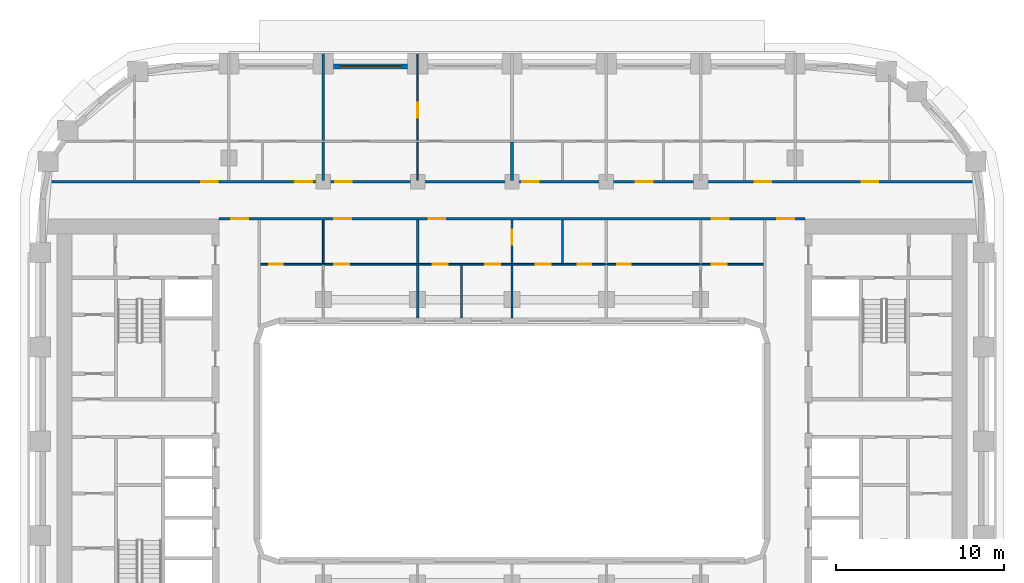
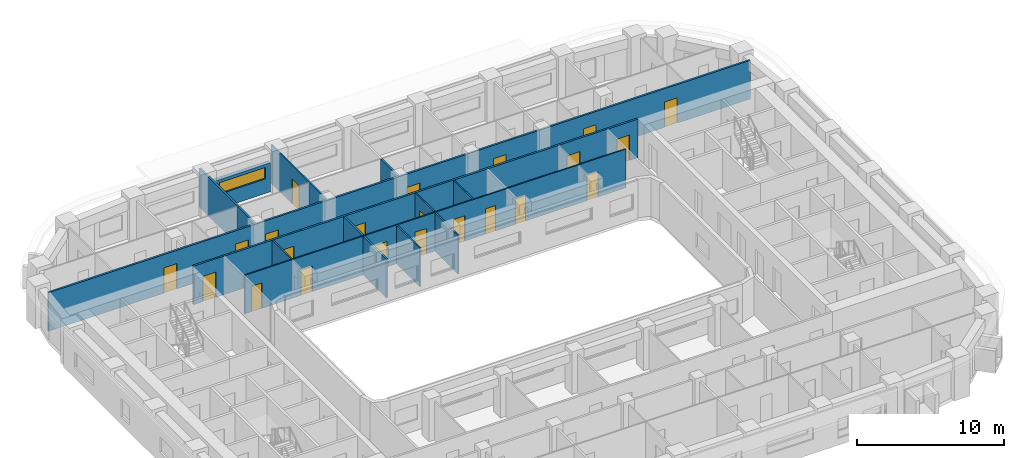
# One storey, part 8 of 22: 22 doors, 16 walls, 1 window, 23 openings.
"""IFC4 building model written with IfcOpenShell, lengths in metres."""

from ifc_helpers import new_model, si_unit, direction, frame, frame_2d, origin, place, context, subcontext, project, spatial, rectangle, extrude, material, layer, layer_set, type_object, element, fill, save


model = new_model("IFC4")

# Units and contexts
model_context = context("Model", 3, precision=1e-05, world=origin(), true_north=direction((0.0, 1.0)))
body_context = subcontext(model_context, "Body", "Model", "MODEL_VIEW")
ifc_project = project(units=[si_unit("LENGTHUNIT", "METRE"), si_unit("AREAUNIT", "SQUARE_METRE"), si_unit("VOLUMEUNIT", "CUBIC_METRE"), si_unit("PLANEANGLEUNIT", "RADIAN"), si_unit("MASSUNIT", "GRAM", prefix="KILO")], contexts=[model_context])

# Site, building, storey
site_placement = place(None, origin())
site = spatial("IfcSite", under=ifc_project, at=site_placement, CompositionType="ELEMENT")
building_placement = place(site_placement, origin())
building = spatial("IfcBuilding", under=site, at=building_placement, Name="Kiln Ring Residences", CompositionType="ELEMENT")
storey_placement = place(building_placement, frame((0.0, 0.0, 111.300048828125)))
storey = spatial("IfcBuildingStorey", under=building, at=storey_placement, Name="L28", CompositionType="ELEMENT", Elevation=111.300048828125)

# Wall, opening, window
ifc_material_1 = material(Name="Brick masonry, dark clay brick", Category="masonry")
ifc_layer_1 = layer(ifc_material_1, 0.300048828125)
ifc_layer_set_1 = layer_set([ifc_layer_1], Name="EW-300 BRICK WALL")
wall_type_1 = type_object("IfcWallType", Name="EW-300 BRICK WALL", PredefinedType="SOLIDWALL", material=ifc_layer_set_1)
wall_1_placement = place(storey_placement, frame((-6.199951171875, 22.25, 0.0), z_axis=(0.0, 0.0, 1.0), x_axis=(-1.0, 0.0, 0.0)))
wall_1 = element("IfcWall", 1, at=wall_1_placement, inside=storey, type_object=wall_type_1, Name="Facade wall L28 33", PredefinedType="SOLIDWALL", context=body_context, shape_type="SweptSolid", body=[
    extrude(rectangle(XDim=4.400146484375, YDim=0.300048828125, at=frame_2d((2.2001953125, 0.0))), origin(), (0.0, 0.0, 1.0), 2.39990234375),
])
opening_1_placement = place(wall_1_placement, frame((0.39990234375, 0.0, 1.199951171875)))
opening_1 = element("IfcOpeningElement", 2, at=opening_1_placement, cuts=wall_1, Name="Opening W4", PredefinedType="OPENING", context=body_context, shape_type="SweptSolid", body=[
    extrude(rectangle(XDim=3.60009765625, YDim=0.949951171875, at=frame_2d((1.800048828125, 0.47509765625))), frame((0.0, 0.159912109375, 0.0), z_axis=(0.0, -1.0, 0.0), x_axis=(1.0, 0.0, 0.0)), (0.0, 0.0, 1.0), 0.320068359375),
])
ifc_material_2 = material(Name="Aluminium frame with double glazing", Category="aluminium")
window_type = type_object("IfcWindowType", Name="WINDOW 3600 x 950", PartitioningType="SINGLE_PANEL", PredefinedType="WINDOW", material=ifc_material_2)
window_placement = place(opening_1_placement, origin())
window = element("IfcWindow", 3, at=window_placement, inside=storey, type_object=window_type, Name="Window L28 19", OverallHeight=0.949951171875, OverallWidth=3.60009765625, PartitioningType="SINGLE_PANEL", PredefinedType="WINDOW", context=body_context, shape_type="SweptSolid", body=[
    extrude(rectangle(XDim=3.60009765625, YDim=0.949951171875, at=frame_2d((1.800048828125, 0.47509765625))), frame((0.0, 0.030029296875, 0.0), z_axis=(0.0, -1.0, 0.0), x_axis=(1.0, 0.0, 0.0)), (0.0, 0.0, 1.0), 0.06005859375),
])
fill(opening_1, window)

# Wall, openings, doors
ifc_material_3 = material(Name="Gypsum board on steel studs", Category="steel")
ifc_layer_2 = layer(ifc_material_3, 0.10009765625)
ifc_layer_set_2 = layer_set([ifc_layer_2], Name="PARTITION-100")
wall_type_2 = type_object("IfcWallType", Name="PARTITION-100", PredefinedType="PARTITIONING", material=ifc_layer_set_2)
wall_2_placement = place(storey_placement, frame((-14.925048828125, 10.5, 0.0), z_axis=(0.0, 0.0, 1.0), x_axis=(1.0, 0.0, 0.0)))
wall_2 = element("IfcWall", 4, at=wall_2_placement, inside=storey, type_object=wall_type_2, Name="Partition 003", PredefinedType="PARTITIONING", context=body_context, shape_type="SweptSolid", body=[
    extrude(rectangle(XDim=29.85009765625, YDim=0.10009765625, at=frame_2d((14.925048828125, 0.0))), origin(), (0.0, 0.0, 1.0), 3.199951171875),
])
opening_2_placement = place(wall_2_placement, frame((0.52490234375, 0.0, 0.0)))
opening_2 = element("IfcOpeningElement", 5, at=opening_2_placement, cuts=wall_2, Name="Opening L28-D006", PredefinedType="OPENING", context=body_context, shape_type="SweptSolid", body=[
    extrude(rectangle(XDim=0.800048828125, YDim=2.10009765625, at=frame_2d((0.39990234375, 1.050048828125))), frame((0.0, 0.06005859375, 0.0), z_axis=(0.0, -1.0, 0.0), x_axis=(1.0, 0.0, 0.0)), (0.0, 0.0, 1.0), 0.1201171875),
])
opening_3_placement = place(wall_2_placement, frame((4.375, 0.0, 0.0)))
opening_3 = element("IfcOpeningElement", 6, at=opening_3_placement, cuts=wall_2, Name="Opening L28-D007", PredefinedType="OPENING", context=body_context, shape_type="SweptSolid", body=[
    extrude(rectangle(XDim=0.89990234375, YDim=2.10009765625, at=frame_2d((0.449951171875, 1.050048828125))), frame((0.0, 0.06005859375, 0.0), z_axis=(0.0, -1.0, 0.0), x_axis=(1.0, 0.0, 0.0)), (0.0, 0.0, 1.0), 0.1201171875),
])
opening_4_placement = place(wall_2_placement, frame((18.824951171875, 0.0, 0.0)))
opening_4 = element("IfcOpeningElement", 7, at=opening_4_placement, cuts=wall_2, Name="Opening L28-D011", PredefinedType="OPENING", context=body_context, shape_type="SweptSolid", body=[
    extrude(rectangle(XDim=0.800048828125, YDim=2.10009765625, at=frame_2d((0.39990234375, 1.050048828125))), frame((0.0, 0.06005859375, 0.0), z_axis=(0.0, -1.0, 0.0), x_axis=(1.0, 0.0, 0.0)), (0.0, 0.0, 1.0), 0.1201171875),
])
opening_5_placement = place(wall_2_placement, frame((16.324951171875, 0.0, 0.0)))
opening_5 = element("IfcOpeningElement", 8, at=opening_5_placement, cuts=wall_2, Name="Opening L28-D012", PredefinedType="OPENING", context=body_context, shape_type="SweptSolid", body=[
    extrude(rectangle(XDim=0.89990234375, YDim=2.10009765625, at=frame_2d((0.449951171875, 1.050048828125))), frame((0.0, 0.06005859375, 0.0), z_axis=(0.0, -1.0, 0.0), x_axis=(1.0, 0.0, 0.0)), (0.0, 0.0, 1.0), 0.1201171875),
])
opening_6_placement = place(wall_2_placement, frame((10.22509765625, 0.0, 0.0)))
opening_6 = element("IfcOpeningElement", 9, at=opening_6_placement, cuts=wall_2, Name="Opening L28-D013", PredefinedType="OPENING", context=body_context, shape_type="SweptSolid", body=[
    extrude(rectangle(XDim=0.89990234375, YDim=2.10009765625, at=frame_2d((0.449951171875, 1.050048828125))), frame((0.0, 0.06005859375, 0.0), z_axis=(0.0, -1.0, 0.0), x_axis=(1.0, 0.0, 0.0)), (0.0, 0.0, 1.0), 0.1201171875),
])
opening_7_placement = place(wall_2_placement, frame((13.324951171875, 0.0, 0.0)))
opening_7 = element("IfcOpeningElement", 10, at=opening_7_placement, cuts=wall_2, Name="Opening L28-D014", PredefinedType="OPENING", context=body_context, shape_type="SweptSolid", body=[
    extrude(rectangle(XDim=0.89990234375, YDim=2.10009765625, at=frame_2d((0.449951171875, 1.050048828125))), frame((0.0, 0.06005859375, 0.0), z_axis=(0.0, -1.0, 0.0), x_axis=(1.0, 0.0, 0.0)), (0.0, 0.0, 1.0), 0.1201171875),
])
opening_8_placement = place(wall_2_placement, frame((21.175048828125, 0.0, 0.0)))
opening_8 = element("IfcOpeningElement", 11, at=opening_8_placement, cuts=wall_2, Name="Opening L28-D016", PredefinedType="OPENING", context=body_context, shape_type="SweptSolid", body=[
    extrude(rectangle(XDim=0.800048828125, YDim=2.10009765625, at=frame_2d((0.39990234375, 1.050048828125))), frame((0.0, 0.06005859375, 0.0), z_axis=(0.0, -1.0, 0.0), x_axis=(1.0, 0.0, 0.0)), (0.0, 0.0, 1.0), 0.1201171875),
])
opening_9_placement = place(wall_2_placement, frame((26.77490234375, 0.0, 0.0)))
opening_9 = element("IfcOpeningElement", 12, at=opening_9_placement, cuts=wall_2, Name="Opening L28-D017", PredefinedType="OPENING", context=body_context, shape_type="SweptSolid", body=[
    extrude(rectangle(XDim=0.89990234375, YDim=2.10009765625, at=frame_2d((0.449951171875, 1.050048828125))), frame((0.0, 0.06005859375, 0.0), z_axis=(0.0, -1.0, 0.0), x_axis=(1.0, 0.0, 0.0)), (0.0, 0.0, 1.0), 0.1201171875),
])
ifc_material_4 = material(Name="Timber door leaf", Category="wood")
door_type_1 = type_object("IfcDoorType", Name="FLAT-DOOR-800-PL", OperationType="SINGLE_SWING_LEFT", PredefinedType="DOOR", material=ifc_material_4)
door_1_placement = place(opening_2_placement, origin())
door_1 = element("IfcDoor", 13, at=door_1_placement, inside=storey, type_object=door_type_1, Name="Door L28-D006", OperationType="SINGLE_SWING_RIGHT", OverallHeight=2.10009765625, OverallWidth=0.800048828125, PredefinedType="DOOR", context=body_context, shape_type="SweptSolid", body=[
    extrude(rectangle(XDim=0.800048828125, YDim=2.10009765625, at=frame_2d((0.39990234375, 1.050048828125))), frame((0.0, 0.02490234375, 0.0), z_axis=(0.0, -1.0, 0.0), x_axis=(1.0, 0.0, 0.0)), (0.0, 0.0, 1.0), 0.050048828125),
])
fill(opening_2, door_1)
door_2_placement = place(opening_4_placement, origin())
door_2 = element("IfcDoor", 14, at=door_2_placement, inside=storey, type_object=door_type_1, Name="Door L28-D011", OperationType="SINGLE_SWING_LEFT", OverallHeight=2.10009765625, OverallWidth=0.800048828125, PredefinedType="DOOR", context=body_context, shape_type="SweptSolid", body=[
    extrude(rectangle(XDim=0.800048828125, YDim=2.10009765625, at=frame_2d((0.39990234375, 1.050048828125))), frame((0.0, 0.02490234375, 0.0), z_axis=(0.0, -1.0, 0.0), x_axis=(1.0, 0.0, 0.0)), (0.0, 0.0, 1.0), 0.050048828125),
])
fill(opening_4, door_2)
door_3_placement = place(opening_8_placement, origin())
door_3 = element("IfcDoor", 15, at=door_3_placement, inside=storey, type_object=door_type_1, Name="Door L28-D016", OperationType="SINGLE_SWING_RIGHT", OverallHeight=2.10009765625, OverallWidth=0.800048828125, PredefinedType="DOOR", context=body_context, shape_type="SweptSolid", body=[
    extrude(rectangle(XDim=0.800048828125, YDim=2.10009765625, at=frame_2d((0.39990234375, 1.050048828125))), frame((0.0, 0.02490234375, 0.0), z_axis=(0.0, -1.0, 0.0), x_axis=(1.0, 0.0, 0.0)), (0.0, 0.0, 1.0), 0.050048828125),
])
fill(opening_8, door_3)
ifc_material_5 = material(Name="Timber door leaf", Category="wood")
door_type_2 = type_object("IfcDoorType", Name="FLAT-DOOR-900-PL", OperationType="SINGLE_SWING_LEFT", PredefinedType="DOOR", material=ifc_material_5)
door_4_placement = place(opening_3_placement, origin())
door_4 = element("IfcDoor", 16, at=door_4_placement, inside=storey, type_object=door_type_2, Name="Door L28-D007", OperationType="SINGLE_SWING_LEFT", OverallHeight=2.10009765625, OverallWidth=0.89990234375, PredefinedType="DOOR", context=body_context, shape_type="SweptSolid", body=[
    extrude(rectangle(XDim=0.89990234375, YDim=2.10009765625, at=frame_2d((0.449951171875, 1.050048828125))), frame((0.0, 0.02490234375, 0.0), z_axis=(0.0, -1.0, 0.0), x_axis=(1.0, 0.0, 0.0)), (0.0, 0.0, 1.0), 0.050048828125),
])
fill(opening_3, door_4)
door_5_placement = place(opening_5_placement, origin())
door_5 = element("IfcDoor", 17, at=door_5_placement, inside=storey, type_object=door_type_2, Name="Door L28-D012", OperationType="SINGLE_SWING_RIGHT", OverallHeight=2.10009765625, OverallWidth=0.89990234375, PredefinedType="DOOR", context=body_context, shape_type="SweptSolid", body=[
    extrude(rectangle(XDim=0.89990234375, YDim=2.10009765625, at=frame_2d((0.449951171875, 1.050048828125))), frame((0.0, 0.02490234375, 0.0), z_axis=(0.0, -1.0, 0.0), x_axis=(1.0, 0.0, 0.0)), (0.0, 0.0, 1.0), 0.050048828125),
])
fill(opening_5, door_5)
door_6_placement = place(opening_6_placement, origin())
door_6 = element("IfcDoor", 18, at=door_6_placement, inside=storey, type_object=door_type_2, Name="Door L28-D013", OperationType="SINGLE_SWING_LEFT", OverallHeight=2.10009765625, OverallWidth=0.89990234375, PredefinedType="DOOR", context=body_context, shape_type="SweptSolid", body=[
    extrude(rectangle(XDim=0.89990234375, YDim=2.10009765625, at=frame_2d((0.449951171875, 1.050048828125))), frame((0.0, 0.02490234375, 0.0), z_axis=(0.0, -1.0, 0.0), x_axis=(1.0, 0.0, 0.0)), (0.0, 0.0, 1.0), 0.050048828125),
])
fill(opening_6, door_6)
door_7_placement = place(opening_7_placement, origin())
door_7 = element("IfcDoor", 19, at=door_7_placement, inside=storey, type_object=door_type_2, Name="Door L28-D014", OperationType="SINGLE_SWING_RIGHT", OverallHeight=2.10009765625, OverallWidth=0.89990234375, PredefinedType="DOOR", context=body_context, shape_type="SweptSolid", body=[
    extrude(rectangle(XDim=0.89990234375, YDim=2.10009765625, at=frame_2d((0.449951171875, 1.050048828125))), frame((0.0, 0.02490234375, 0.0), z_axis=(0.0, -1.0, 0.0), x_axis=(1.0, 0.0, 0.0)), (0.0, 0.0, 1.0), 0.050048828125),
])
fill(opening_7, door_7)
door_8_placement = place(opening_9_placement, origin())
door_8 = element("IfcDoor", 20, at=door_8_placement, inside=storey, type_object=door_type_2, Name="Door L28-D017", OperationType="SINGLE_SWING_LEFT", OverallHeight=2.10009765625, OverallWidth=0.89990234375, PredefinedType="DOOR", context=body_context, shape_type="SweptSolid", body=[
    extrude(rectangle(XDim=0.89990234375, YDim=2.10009765625, at=frame_2d((0.449951171875, 1.050048828125))), frame((0.0, 0.02490234375, 0.0), z_axis=(0.0, -1.0, 0.0), x_axis=(1.0, 0.0, 0.0)), (0.0, 0.0, 1.0), 0.050048828125),
])
fill(opening_9, door_8)

# Walls
wall_3_placement = place(storey_placement, frame((-11.199951171875, 10.550048828125, 0.0), z_axis=(0.0, 0.0, 1.0), x_axis=(0.0, 1.0, 0.0)))
element("IfcWall", 21, at=wall_3_placement, inside=storey, type_object=wall_type_2, Name="Partition 023", PredefinedType="PARTITIONING", context=body_context, shape_type="SweptSolid", body=[
    extrude(rectangle(XDim=2.574951171875, YDim=0.10009765625, at=frame_2d((1.28759765625, 0.0))), origin(), (0.0, 0.0, 1.0), 3.199951171875),
])
wall_4_placement = place(storey_placement, frame((-5.60009765625, 15.47509765625, 0.0), z_axis=(0.0, 0.0, 1.0), x_axis=(0.0, 1.0, 0.0)))
element("IfcWall", 22, at=wall_4_placement, inside=storey, type_object=wall_type_2, Name="Partition 028", PredefinedType="PARTITIONING", context=body_context, shape_type="SweptSolid", body=[
    extrude(rectangle(XDim=2.27490234375, YDim=0.10009765625, at=frame_2d((1.137451171875, 0.0))), origin(), (0.0, 0.0, 1.0), 3.199951171875),
])

# Wall, opening, door
wall_5_placement = place(storey_placement, frame((-5.60009765625, 17.85009765625, 0.0), z_axis=(0.0, 0.0, 1.0), x_axis=(0.0, 1.0, 0.0)))
wall_5 = element("IfcWall", 23, at=wall_5_placement, inside=storey, type_object=wall_type_2, Name="Partition 029", PredefinedType="PARTITIONING", context=body_context, shape_type="SweptSolid", body=[
    extrude(rectangle(XDim=5.1298828125, YDim=0.10009765625, at=frame_2d((2.56494140625, 0.0))), origin(), (0.0, 0.0, 1.0), 3.199951171875),
])
opening_10_placement = place(wall_5_placement, frame((1.35009765625, 0.0, 0.0)))
opening_10 = element("IfcOpeningElement", 24, at=opening_10_placement, cuts=wall_5, Name="Opening L28-D029", PredefinedType="OPENING", context=body_context, shape_type="SweptSolid", body=[
    extrude(rectangle(XDim=0.89990234375, YDim=2.10009765625, at=frame_2d((0.449951171875, 1.050048828125))), frame((0.0, 0.06005859375, 0.0), z_axis=(0.0, -1.0, 0.0), x_axis=(1.0, 0.0, 0.0)), (0.0, 0.0, 1.0), 0.1201171875),
])
door_9_placement = place(opening_10_placement, origin())
door_9 = element("IfcDoor", 25, at=door_9_placement, inside=storey, type_object=door_type_2, Name="Door L28-D029", OperationType="SINGLE_SWING_LEFT", OverallHeight=2.10009765625, OverallWidth=0.89990234375, PredefinedType="DOOR", context=body_context, shape_type="SweptSolid", body=[
    extrude(rectangle(XDim=0.89990234375, YDim=2.10009765625, at=frame_2d((0.449951171875, 1.050048828125))), frame((0.0, 0.02490234375, 0.0), z_axis=(0.0, -1.0, 0.0), x_axis=(1.0, 0.0, 0.0)), (0.0, 0.0, 1.0), 0.050048828125),
])
fill(opening_10, door_9)

# Walls
for number, where, z_axis, x_axis, name in (
    (26, (-3.0, 7.320068359375, 0.0), (0.0, 0.0, 1.0), (0.0, 1.0, 0.0), "Partition 034"),
    (27, (0.0, 7.320068359375, 0.0), (0.0, 0.0, 1.0), (0.0, 1.0, 0.0), "Partition 038"),
):
    element("IfcWall", number, at=place(storey_placement, frame(where, z_axis=z_axis, x_axis=x_axis)), inside=storey, type_object=wall_type_2, Name=name, PredefinedType="PARTITIONING", context=body_context, shape_type="SweptSolid", body=[
        extrude(rectangle(XDim=3.1298828125, YDim=0.10009765625, at=frame_2d((1.56494140625, 0.0))), origin(), (0.0, 0.0, 1.0), 3.199951171875),
    ])

# Wall, opening, door
wall_6_placement = place(storey_placement, frame((0.0, 10.550048828125, 0.0), z_axis=(0.0, 0.0, 1.0), x_axis=(0.0, 1.0, 0.0)))
wall_6 = element("IfcWall", 28, at=wall_6_placement, inside=storey, type_object=wall_type_2, Name="Partition 039", PredefinedType="PARTITIONING", context=body_context, shape_type="SweptSolid", body=[
    extrude(rectangle(XDim=2.574951171875, YDim=0.10009765625, at=frame_2d((1.28759765625, 0.0))), origin(), (0.0, 0.0, 1.0), 3.199951171875),
])
opening_11_placement = place(wall_6_placement, frame((1.10009765625, 0.0, 0.0)))
opening_11 = element("IfcOpeningElement", 29, at=opening_11_placement, cuts=wall_6, Name="Opening L28-D010", PredefinedType="OPENING", context=body_context, shape_type="SweptSolid", body=[
    extrude(rectangle(XDim=0.89990234375, YDim=2.10009765625, at=frame_2d((0.449951171875, 1.050048828125))), frame((0.0, 0.06005859375, 0.0), z_axis=(0.0, -1.0, 0.0), x_axis=(1.0, 0.0, 0.0)), (0.0, 0.0, 1.0), 0.1201171875),
])
door_10_placement = place(opening_11_placement, origin())
door_10 = element("IfcDoor", 30, at=door_10_placement, inside=storey, type_object=door_type_2, Name="Door L28-D010", OperationType="SINGLE_SWING_RIGHT", OverallHeight=2.10009765625, OverallWidth=0.89990234375, PredefinedType="DOOR", context=body_context, shape_type="SweptSolid", body=[
    extrude(rectangle(XDim=0.89990234375, YDim=2.10009765625, at=frame_2d((0.449951171875, 1.050048828125))), frame((0.0, 0.02490234375, 0.0), z_axis=(0.0, -1.0, 0.0), x_axis=(1.0, 0.0, 0.0)), (0.0, 0.0, 1.0), 0.050048828125),
])
fill(opening_11, door_10)

# Wall
wall_7_placement = place(storey_placement, frame((3.0, 10.550048828125, 0.0), z_axis=(0.0, 0.0, 1.0), x_axis=(0.0, 1.0, 0.0)))
element("IfcWall", 31, at=wall_7_placement, inside=storey, type_object=wall_type_2, Name="Partition 042", PredefinedType="PARTITIONING", context=body_context, shape_type="SweptSolid", body=[
    extrude(rectangle(XDim=2.574951171875, YDim=0.10009765625, at=frame_2d((1.28759765625, 0.0))), origin(), (0.0, 0.0, 1.0), 3.199951171875),
])

# Wall, openings, doors
ifc_material_6 = material(Name="Brick masonry partition", Category="masonry")
ifc_layer_3 = layer(ifc_material_6, 0.14990234375)
ifc_layer_set_3 = layer_set([ifc_layer_3], Name="PARTITION-150-ei60")
wall_type_3 = type_object("IfcWallType", Name="PARTITION-150-ei60", PredefinedType="PARTITIONING", material=ifc_layer_set_3)
wall_8_placement = place(storey_placement, frame((-17.39990234375, 13.199951171875, 0.0), z_axis=(0.0, 0.0, 1.0), x_axis=(1.0, 0.0, 0.0)))
wall_8 = element("IfcWall", 32, at=wall_8_placement, inside=storey, type_object=wall_type_3, Name="Partition 004", PredefinedType="PARTITIONING", context=body_context, shape_type="SweptSolid", body=[
    extrude(rectangle(XDim=34.7998046875, YDim=0.14990234375, at=frame_2d((17.39990234375, 0.0))), origin(), (0.0, 0.0, 1.0), 3.199951171875),
])
opening_12_placement = place(wall_8_placement, frame((0.75, 0.0, 0.0)))
opening_12 = element("IfcOpeningElement", 33, at=opening_12_placement, cuts=wall_8, Name="Opening L28-D001", PredefinedType="OPENING", context=body_context, shape_type="SweptSolid", body=[
    extrude(rectangle(XDim=1.0, YDim=2.10009765625, at=frame_2d((0.5, 1.050048828125))), frame((0.0, 0.0849609375, 0.0), z_axis=(0.0, -1.0, 0.0), x_axis=(1.0, 0.0, 0.0)), (0.0, 0.0, 1.0), 0.169921875),
])
opening_13_placement = place(wall_8_placement, frame((33.14990234375, 0.0, 0.0)))
opening_13 = element("IfcOpeningElement", 34, at=opening_13_placement, cuts=wall_8, Name="Opening L28-D002", PredefinedType="OPENING", context=body_context, shape_type="SweptSolid", body=[
    extrude(rectangle(XDim=1.0, YDim=2.10009765625, at=frame_2d((0.5, 1.050048828125))), frame((0.0, 0.0849609375, 0.0), z_axis=(0.0, -1.0, 0.0), x_axis=(1.0, 0.0, 0.0)), (0.0, 0.0, 1.0), 0.169921875),
])
opening_14_placement = place(wall_8_placement, frame((6.85009765625, 0.0, 0.0)))
opening_14 = element("IfcOpeningElement", 35, at=opening_14_placement, cuts=wall_8, Name="Opening L28-D005", PredefinedType="OPENING", context=body_context, shape_type="SweptSolid", body=[
    extrude(rectangle(XDim=1.0, YDim=2.10009765625, at=frame_2d((0.5, 1.050048828125))), frame((0.0, 0.0849609375, 0.0), z_axis=(0.0, -1.0, 0.0), x_axis=(1.0, 0.0, 0.0)), (0.0, 0.0, 1.0), 0.169921875),
])
opening_15_placement = place(wall_8_placement, frame((12.449951171875, 0.0, 0.0)))
opening_15 = element("IfcOpeningElement", 36, at=opening_15_placement, cuts=wall_8, Name="Opening L28-D009", PredefinedType="OPENING", context=body_context, shape_type="SweptSolid", body=[
    extrude(rectangle(XDim=1.0, YDim=2.10009765625, at=frame_2d((0.5, 1.050048828125))), frame((0.0, 0.0849609375, 0.0), z_axis=(0.0, -1.0, 0.0), x_axis=(1.0, 0.0, 0.0)), (0.0, 0.0, 1.0), 0.169921875),
])
opening_16_placement = place(wall_8_placement, frame((29.25, 0.0, 0.0)))
opening_16 = element("IfcOpeningElement", 37, at=opening_16_placement, cuts=wall_8, Name="Opening L28-D015", PredefinedType="OPENING", context=body_context, shape_type="SweptSolid", body=[
    extrude(rectangle(XDim=1.0, YDim=2.10009765625, at=frame_2d((0.5, 1.050048828125))), frame((0.0, 0.0849609375, 0.0), z_axis=(0.0, -1.0, 0.0), x_axis=(1.0, 0.0, 0.0)), (0.0, 0.0, 1.0), 0.169921875),
])
ifc_material_7 = material(Name="Steel faced fire door leaf", Category="steel")
door_type_3 = type_object("IfcDoorType", Name="FLAT-DOOR-1000-FR", OperationType="SINGLE_SWING_LEFT", PredefinedType="DOOR", material=ifc_material_7)
door_11_placement = place(opening_12_placement, origin())
door_11 = element("IfcDoor", 38, at=door_11_placement, inside=storey, type_object=door_type_3, Name="Door L28-D001", OperationType="SINGLE_SWING_RIGHT", OverallHeight=2.10009765625, OverallWidth=1.0, PredefinedType="DOOR", context=body_context, shape_type="SweptSolid", body=[
    extrude(rectangle(XDim=1.0, YDim=2.10009765625, at=frame_2d((0.5, 1.050048828125))), frame((0.0, 0.02490234375, 0.0), z_axis=(0.0, -1.0, 0.0), x_axis=(1.0, 0.0, 0.0)), (0.0, 0.0, 1.0), 0.050048828125),
])
fill(opening_12, door_11)
door_12_placement = place(opening_13_placement, origin())
door_12 = element("IfcDoor", 39, at=door_12_placement, inside=storey, type_object=door_type_3, Name="Door L28-D002", OperationType="SINGLE_SWING_LEFT", OverallHeight=2.10009765625, OverallWidth=1.0, PredefinedType="DOOR", context=body_context, shape_type="SweptSolid", body=[
    extrude(rectangle(XDim=1.0, YDim=2.10009765625, at=frame_2d((0.5, 1.050048828125))), frame((0.0, 0.02490234375, 0.0), z_axis=(0.0, -1.0, 0.0), x_axis=(1.0, 0.0, 0.0)), (0.0, 0.0, 1.0), 0.050048828125),
])
fill(opening_13, door_12)
door_13_placement = place(opening_14_placement, origin())
door_13 = element("IfcDoor", 40, at=door_13_placement, inside=storey, type_object=door_type_3, Name="Door L28-D005", OperationType="SINGLE_SWING_LEFT", OverallHeight=2.10009765625, OverallWidth=1.0, PredefinedType="DOOR", context=body_context, shape_type="SweptSolid", body=[
    extrude(rectangle(XDim=1.0, YDim=2.10009765625, at=frame_2d((0.5, 1.050048828125))), frame((0.0, 0.02490234375, 0.0), z_axis=(0.0, -1.0, 0.0), x_axis=(1.0, 0.0, 0.0)), (0.0, 0.0, 1.0), 0.050048828125),
])
fill(opening_14, door_13)
door_14_placement = place(opening_15_placement, origin())
door_14 = element("IfcDoor", 41, at=door_14_placement, inside=storey, type_object=door_type_3, Name="Door L28-D009", OperationType="SINGLE_SWING_LEFT", OverallHeight=2.10009765625, OverallWidth=1.0, PredefinedType="DOOR", context=body_context, shape_type="SweptSolid", body=[
    extrude(rectangle(XDim=1.0, YDim=2.10009765625, at=frame_2d((0.5, 1.050048828125))), frame((0.0, 0.02490234375, 0.0), z_axis=(0.0, -1.0, 0.0), x_axis=(1.0, 0.0, 0.0)), (0.0, 0.0, 1.0), 0.050048828125),
])
fill(opening_15, door_14)
door_15_placement = place(opening_16_placement, origin())
door_15 = element("IfcDoor", 42, at=door_15_placement, inside=storey, type_object=door_type_3, Name="Door L28-D015", OperationType="SINGLE_SWING_LEFT", OverallHeight=2.10009765625, OverallWidth=1.0, PredefinedType="DOOR", context=body_context, shape_type="SweptSolid", body=[
    extrude(rectangle(XDim=1.0, YDim=2.10009765625, at=frame_2d((0.5, 1.050048828125))), frame((0.0, 0.02490234375, 0.0), z_axis=(0.0, -1.0, 0.0), x_axis=(1.0, 0.0, 0.0)), (0.0, 0.0, 1.0), 0.050048828125),
])
fill(opening_16, door_15)

wall_9_placement = place(storey_placement, frame((-27.48388671875, 15.39990234375, 0.0), z_axis=(0.0, 0.0, 1.0), x_axis=(1.0, 0.0, 0.0)))
wall_9 = element("IfcWall", 43, at=wall_9_placement, inside=storey, type_object=wall_type_3, Name="Partition 005", PredefinedType="PARTITIONING", context=body_context, shape_type="SweptSolid", body=[
    extrude(rectangle(XDim=54.9677734375, YDim=0.14990234375, at=frame_2d((27.48388671875, 0.0))), origin(), (0.0, 0.0, 1.0), 3.199951171875),
])
opening_17_placement = place(wall_9_placement, frame((9.03369140625, 0.0, 0.0)))
opening_17 = element("IfcOpeningElement", 44, at=opening_17_placement, cuts=wall_9, Name="Opening L28-D019", PredefinedType="OPENING", context=body_context, shape_type="SweptSolid", body=[
    extrude(rectangle(XDim=1.0, YDim=2.10009765625, at=frame_2d((0.5, 1.050048828125))), frame((0.0, 0.0849609375, 0.0), z_axis=(0.0, -1.0, 0.0), x_axis=(1.0, 0.0, 0.0)), (0.0, 0.0, 1.0), 0.169921875),
])
opening_18_placement = place(wall_9_placement, frame((14.6337890625, 0.0, 0.0)))
opening_18 = element("IfcOpeningElement", 45, at=opening_18_placement, cuts=wall_9, Name="Opening L28-D023", PredefinedType="OPENING", context=body_context, shape_type="SweptSolid", body=[
    extrude(rectangle(XDim=1.0, YDim=2.10009765625, at=frame_2d((0.5, 1.050048828125))), frame((0.0, 0.0849609375, 0.0), z_axis=(0.0, -1.0, 0.0), x_axis=(1.0, 0.0, 0.0)), (0.0, 0.0, 1.0), 0.169921875),
])
opening_19_placement = place(wall_9_placement, frame((16.98388671875, 0.0, 0.0)))
opening_19 = element("IfcOpeningElement", 46, at=opening_19_placement, cuts=wall_9, Name="Opening L28-D026", PredefinedType="OPENING", context=body_context, shape_type="SweptSolid", body=[
    extrude(rectangle(XDim=1.0, YDim=2.10009765625, at=frame_2d((0.5, 1.050048828125))), frame((0.0, 0.0849609375, 0.0), z_axis=(0.0, -1.0, 0.0), x_axis=(1.0, 0.0, 0.0)), (0.0, 0.0, 1.0), 0.169921875),
])
opening_20_placement = place(wall_9_placement, frame((28.083740234375, 0.0, 0.0)))
opening_20 = element("IfcOpeningElement", 47, at=opening_20_placement, cuts=wall_9, Name="Opening L28-D030", PredefinedType="OPENING", context=body_context, shape_type="SweptSolid", body=[
    extrude(rectangle(XDim=1.0, YDim=2.10009765625, at=frame_2d((0.5, 1.050048828125))), frame((0.0, 0.0849609375, 0.0), z_axis=(0.0, -1.0, 0.0), x_axis=(1.0, 0.0, 0.0)), (0.0, 0.0, 1.0), 0.169921875),
])
opening_21_placement = place(wall_9_placement, frame((34.833740234375, 0.0, 0.0)))
opening_21 = element("IfcOpeningElement", 48, at=opening_21_placement, cuts=wall_9, Name="Opening L28-D033", PredefinedType="OPENING", context=body_context, shape_type="SweptSolid", body=[
    extrude(rectangle(XDim=1.0, YDim=2.10009765625, at=frame_2d((0.5, 1.050048828125))), frame((0.0, 0.0849609375, 0.0), z_axis=(0.0, -1.0, 0.0), x_axis=(1.0, 0.0, 0.0)), (0.0, 0.0, 1.0), 0.169921875),
])
opening_22_placement = place(wall_9_placement, frame((41.8837890625, 0.0, 0.0)))
opening_22 = element("IfcOpeningElement", 49, at=opening_22_placement, cuts=wall_9, Name="Opening L28-D036", PredefinedType="OPENING", context=body_context, shape_type="SweptSolid", body=[
    extrude(rectangle(XDim=1.0, YDim=2.10009765625, at=frame_2d((0.5, 1.050048828125))), frame((0.0, 0.0849609375, 0.0), z_axis=(0.0, -1.0, 0.0), x_axis=(1.0, 0.0, 0.0)), (0.0, 0.0, 1.0), 0.169921875),
])
opening_23_placement = place(wall_9_placement, frame((48.23388671875, 0.0, 0.0)))
opening_23 = element("IfcOpeningElement", 50, at=opening_23_placement, cuts=wall_9, Name="Opening L28-D039", PredefinedType="OPENING", context=body_context, shape_type="SweptSolid", body=[
    extrude(rectangle(XDim=1.0, YDim=2.10009765625, at=frame_2d((0.5, 1.050048828125))), frame((0.0, 0.0849609375, 0.0), z_axis=(0.0, -1.0, 0.0), x_axis=(1.0, 0.0, 0.0)), (0.0, 0.0, 1.0), 0.169921875),
])
door_16_placement = place(opening_17_placement, origin())
door_16 = element("IfcDoor", 51, at=door_16_placement, inside=storey, type_object=door_type_3, Name="Door L28-D019", OperationType="SINGLE_SWING_LEFT", OverallHeight=2.10009765625, OverallWidth=1.0, PredefinedType="DOOR", context=body_context, shape_type="SweptSolid", body=[
    extrude(rectangle(XDim=1.0, YDim=2.10009765625, at=frame_2d((0.5, 1.050048828125))), frame((0.0, 0.02490234375, 0.0), z_axis=(0.0, -1.0, 0.0), x_axis=(1.0, 0.0, 0.0)), (0.0, 0.0, 1.0), 0.050048828125),
])
fill(opening_17, door_16)
door_17_placement = place(opening_18_placement, origin())
door_17 = element("IfcDoor", 52, at=door_17_placement, inside=storey, type_object=door_type_3, Name="Door L28-D023", OperationType="SINGLE_SWING_LEFT", OverallHeight=2.10009765625, OverallWidth=1.0, PredefinedType="DOOR", context=body_context, shape_type="SweptSolid", body=[
    extrude(rectangle(XDim=1.0, YDim=2.10009765625, at=frame_2d((0.5, 1.050048828125))), frame((0.0, 0.02490234375, 0.0), z_axis=(0.0, -1.0, 0.0), x_axis=(1.0, 0.0, 0.0)), (0.0, 0.0, 1.0), 0.050048828125),
])
fill(opening_18, door_17)
door_18_placement = place(opening_19_placement, origin())
door_18 = element("IfcDoor", 53, at=door_18_placement, inside=storey, type_object=door_type_3, Name="Door L28-D026", OperationType="SINGLE_SWING_RIGHT", OverallHeight=2.10009765625, OverallWidth=1.0, PredefinedType="DOOR", context=body_context, shape_type="SweptSolid", body=[
    extrude(rectangle(XDim=1.0, YDim=2.10009765625, at=frame_2d((0.5, 1.050048828125))), frame((0.0, 0.02490234375, 0.0), z_axis=(0.0, -1.0, 0.0), x_axis=(1.0, 0.0, 0.0)), (0.0, 0.0, 1.0), 0.050048828125),
])
fill(opening_19, door_18)
door_19_placement = place(opening_20_placement, origin())
door_19 = element("IfcDoor", 54, at=door_19_placement, inside=storey, type_object=door_type_3, Name="Door L28-D030", OperationType="SINGLE_SWING_RIGHT", OverallHeight=2.10009765625, OverallWidth=1.0, PredefinedType="DOOR", context=body_context, shape_type="SweptSolid", body=[
    extrude(rectangle(XDim=1.0, YDim=2.10009765625, at=frame_2d((0.5, 1.050048828125))), frame((0.0, 0.02490234375, 0.0), z_axis=(0.0, -1.0, 0.0), x_axis=(1.0, 0.0, 0.0)), (0.0, 0.0, 1.0), 0.050048828125),
])
fill(opening_20, door_19)
door_20_placement = place(opening_21_placement, origin())
door_20 = element("IfcDoor", 55, at=door_20_placement, inside=storey, type_object=door_type_3, Name="Door L28-D033", OperationType="SINGLE_SWING_LEFT", OverallHeight=2.10009765625, OverallWidth=1.0, PredefinedType="DOOR", context=body_context, shape_type="SweptSolid", body=[
    extrude(rectangle(XDim=1.0, YDim=2.10009765625, at=frame_2d((0.5, 1.050048828125))), frame((0.0, 0.02490234375, 0.0), z_axis=(0.0, -1.0, 0.0), x_axis=(1.0, 0.0, 0.0)), (0.0, 0.0, 1.0), 0.050048828125),
])
fill(opening_21, door_20)
door_21_placement = place(opening_22_placement, origin())
door_21 = element("IfcDoor", 56, at=door_21_placement, inside=storey, type_object=door_type_3, Name="Door L28-D036", OperationType="SINGLE_SWING_RIGHT", OverallHeight=2.10009765625, OverallWidth=1.0, PredefinedType="DOOR", context=body_context, shape_type="SweptSolid", body=[
    extrude(rectangle(XDim=1.0, YDim=2.10009765625, at=frame_2d((0.5, 1.050048828125))), frame((0.0, 0.02490234375, 0.0), z_axis=(0.0, -1.0, 0.0), x_axis=(1.0, 0.0, 0.0)), (0.0, 0.0, 1.0), 0.050048828125),
])
fill(opening_22, door_21)
door_22_placement = place(opening_23_placement, origin())
door_22 = element("IfcDoor", 57, at=door_22_placement, inside=storey, type_object=door_type_3, Name="Door L28-D039", OperationType="SINGLE_SWING_LEFT", OverallHeight=2.10009765625, OverallWidth=1.0, PredefinedType="DOOR", context=body_context, shape_type="SweptSolid", body=[
    extrude(rectangle(XDim=1.0, YDim=2.10009765625, at=frame_2d((0.5, 1.050048828125))), frame((0.0, 0.02490234375, 0.0), z_axis=(0.0, -1.0, 0.0), x_axis=(1.0, 0.0, 0.0)), (0.0, 0.0, 1.0), 0.050048828125),
])
fill(opening_23, door_22)

# Walls
wall_10_placement = place(storey_placement, frame((-11.199951171875, 15.47509765625, 0.0), z_axis=(0.0, 0.0, 1.0), x_axis=(0.0, 1.0, 0.0)))
element("IfcWall", 58, at=wall_10_placement, inside=storey, type_object=wall_type_3, Name="Partition 024", PredefinedType="PARTITIONING", context=body_context, shape_type="SweptSolid", body=[
    extrude(rectangle(XDim=2.27490234375, YDim=0.14990234375, at=frame_2d((1.137451171875, 0.0))), origin(), (0.0, 0.0, 1.0), 3.199951171875),
])
wall_11_placement = place(storey_placement, frame((-11.199951171875, 17.85009765625, 0.0), z_axis=(0.0, 0.0, 1.0), x_axis=(0.0, 1.0, 0.0)))
element("IfcWall", 59, at=wall_11_placement, inside=storey, type_object=wall_type_3, Name="Partition 025", PredefinedType="PARTITIONING", context=body_context, shape_type="SweptSolid", body=[
    extrude(rectangle(XDim=5.1298828125, YDim=0.14990234375, at=frame_2d((2.56494140625, 0.0))), origin(), (0.0, 0.0, 1.0), 3.199951171875),
])
wall_12_placement = place(storey_placement, frame((-5.60009765625, 7.320068359375, 0.0), z_axis=(0.0, 0.0, 1.0), x_axis=(0.0, 1.0, 0.0)))
element("IfcWall", 60, at=wall_12_placement, inside=storey, type_object=wall_type_3, Name="Partition 032", PredefinedType="PARTITIONING", context=body_context, shape_type="SweptSolid", body=[
    extrude(rectangle(XDim=3.1298828125, YDim=0.14990234375, at=frame_2d((1.56494140625, 0.0))), origin(), (0.0, 0.0, 1.0), 3.199951171875),
])
wall_13_placement = place(storey_placement, frame((-5.60009765625, 10.550048828125, 0.0), z_axis=(0.0, 0.0, 1.0), x_axis=(0.0, 1.0, 0.0)))
element("IfcWall", 61, at=wall_13_placement, inside=storey, type_object=wall_type_3, Name="Partition 033", PredefinedType="PARTITIONING", context=body_context, shape_type="SweptSolid", body=[
    extrude(rectangle(XDim=2.574951171875, YDim=0.14990234375, at=frame_2d((1.28759765625, 0.0))), origin(), (0.0, 0.0, 1.0), 3.199951171875),
])
wall_14_placement = place(storey_placement, frame((0.0, 15.47509765625, 0.0), z_axis=(0.0, 0.0, 1.0), x_axis=(0.0, 1.0, 0.0)))
element("IfcWall", 62, at=wall_14_placement, inside=storey, type_object=wall_type_3, Name="Partition 040", PredefinedType="PARTITIONING", context=body_context, shape_type="SweptSolid", body=[
    extrude(rectangle(XDim=2.27490234375, YDim=0.14990234375, at=frame_2d((1.137451171875, 0.0))), origin(), (0.0, 0.0, 1.0), 3.199951171875),
])

save(model, "model.ifc")
